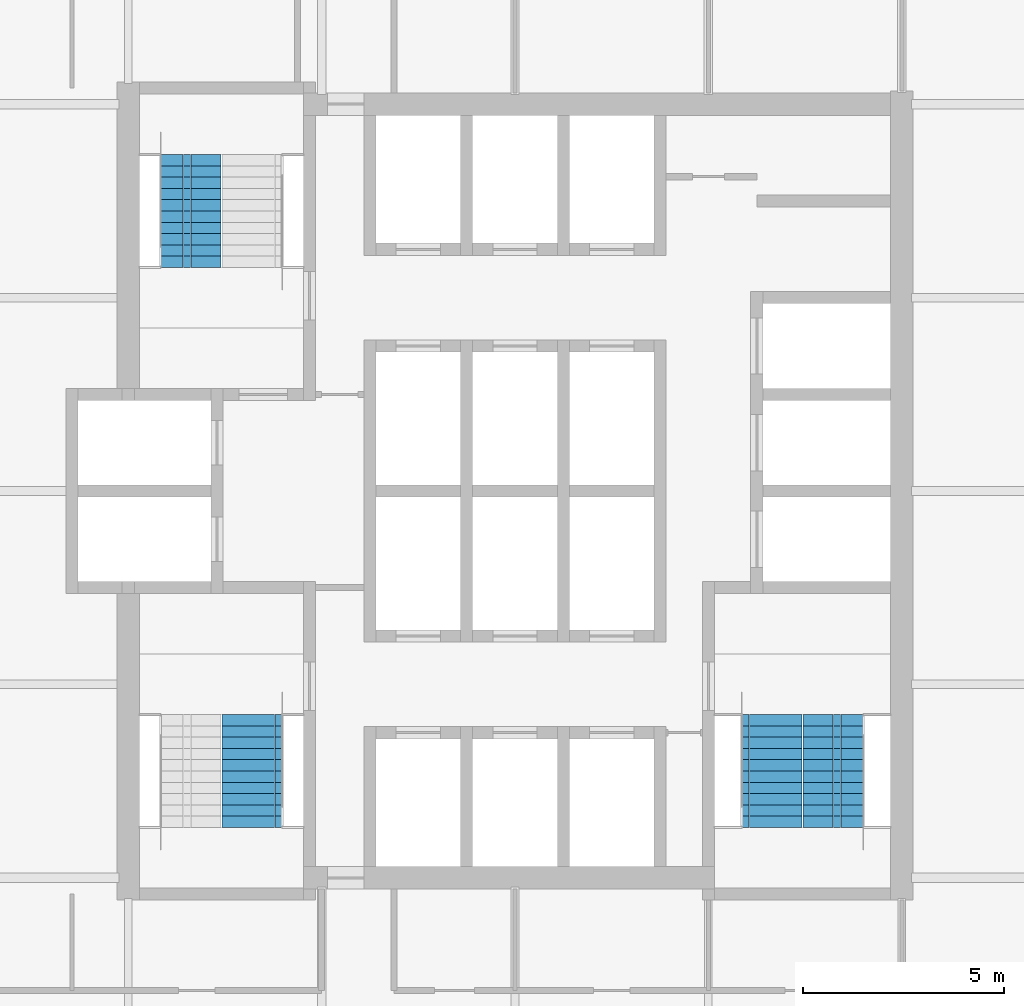
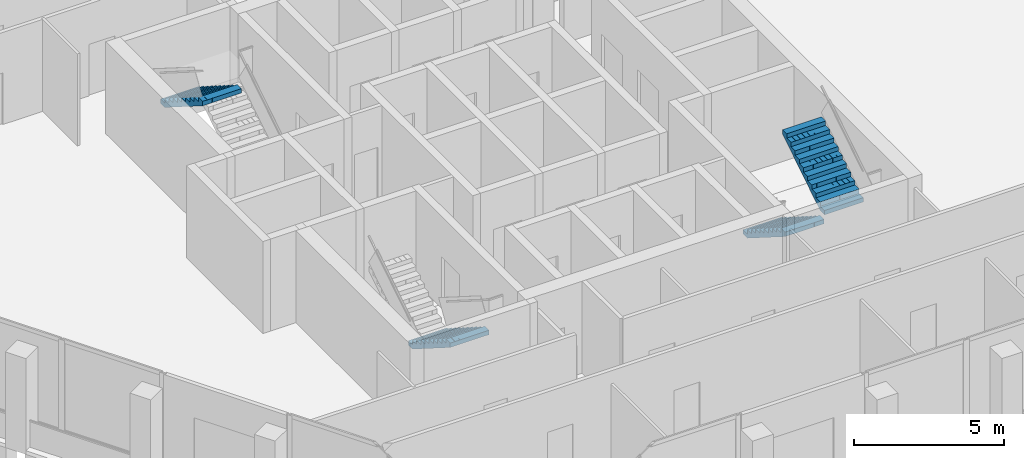
# One storey, part 11 of 14: 4 stair flights, 3 elements without a shape of their own.
"""IFC4 building model written with IfcOpenShell, lengths in metres."""

from ifc_helpers import new_model, si_unit, direction, frame, origin, place, context, subcontext, project, spatial, polyline, outline, extrude, material, type_object, element, aggregate, save


model = new_model("IFC4")

# Units and contexts
model_context = context("Model", 3, precision=1e-05, world=origin(), true_north=direction((0.0, 1.0)))
body_context = subcontext(model_context, "Body", "Model", "MODEL_VIEW")
ifc_project = project(units=[si_unit("LENGTHUNIT", "METRE"), si_unit("AREAUNIT", "SQUARE_METRE"), si_unit("VOLUMEUNIT", "CUBIC_METRE"), si_unit("PLANEANGLEUNIT", "RADIAN"), si_unit("MASSUNIT", "GRAM", prefix="KILO")], contexts=[model_context])

# Site, building, storey
site_placement = place(None, origin())
site = spatial("IfcSite", under=ifc_project, at=site_placement, CompositionType="ELEMENT")
building_placement = place(site_placement, origin())
building = spatial("IfcBuilding", under=site, at=building_placement, Name="Kolab Exchange Tower", CompositionType="ELEMENT")
storey_placement = place(building_placement, frame((0.0, 0.0, 242.300048828125)))
storey = spatial("IfcBuildingStorey", under=building, at=storey_placement, Name="L53", CompositionType="ELEMENT", Elevation=242.300048828125)

# Stair, stair flight
ifc_material = material(Name="Concrete C50/60", Category="concrete")
stair_type_1 = type_object("IfcStairType", Name="STAIR ST1 RISER 177.3", PredefinedType="HALF_TURN_STAIR", material=ifc_material)
stair_1_placement = place(storey_placement, origin())
stair_1 = element("IfcStair", 1, at=stair_1_placement, inside=storey, type_object=stair_type_1, Name="Stair 1", PredefinedType="HALF_TURN_STAIR")
stair_flight_type = type_object("IfcStairFlightType", Name="STAIR FLIGHT 1500 RISER 177.3", PredefinedType="STRAIGHT", material=ifc_material)
stair_flight_1_placement = place(storey_placement, frame((-8.047607421875, 8.35009765625, 1.949951171875), z_axis=(0.0, 0.0, 1.0), x_axis=(0.0, -1.0, 0.0)))
stair_flight_1 = element("IfcStairFlight", 2, at=stair_flight_1_placement, type_object=stair_flight_type, Name="ST1 flight 2", NumberOfRisers=11, NumberOfTreads=10, PredefinedType="STRAIGHT", RiserHeight=0.177272727, TreadLength=0.28, context=body_context, shape_type="SweptSolid", body=[
    extrude(outline(polyline([(0.0, 0.0), (0.0, 0.17724609375), (0.280029296875, 0.17724609375), (0.280029296875, 0.3544921875), (0.56005859375, 0.3544921875), (0.56005859375, 0.53173828125), (0.840087890625, 0.53173828125), (0.840087890625, 0.708984375), (1.1201171875, 0.708984375), (1.1201171875, 0.886474609375), (1.39990234375, 0.886474609375), (1.39990234375, 1.063720703125), (1.679931640625, 1.063720703125), (1.679931640625, 1.240966796875), (1.9599609375, 1.240966796875), (1.9599609375, 1.418212890625), (2.239990234375, 1.418212890625), (2.239990234375, 1.595458984375), (2.52001953125, 1.595458984375), (2.52001953125, 1.772705078125), (2.800048828125, 1.772705078125), (2.800048828125, 1.949951171875), (2.800048828125, 1.59521484375), (0.2802734375, 0.0), (0.0, 0.0)])), frame((0.0, 0.75, 0.0), z_axis=(0.0, -1.0, 0.0), x_axis=(1.0, 0.0, 0.0)), (0.0, 0.0, 1.0), 0.185791015625),
    extrude(outline(polyline([(0.0, 0.0), (0.0, 0.17724609375), (0.280029296875, 0.17724609375), (0.280029296875, 0.3544921875), (0.56005859375, 0.3544921875), (0.56005859375, 0.53173828125), (0.840087890625, 0.53173828125), (0.840087890625, 0.708984375), (1.1201171875, 0.708984375), (1.1201171875, 0.886474609375), (1.39990234375, 0.886474609375), (1.39990234375, 1.063720703125), (1.679931640625, 1.063720703125), (1.679931640625, 1.240966796875), (1.9599609375, 1.240966796875), (1.9599609375, 1.418212890625), (2.239990234375, 1.418212890625), (2.239990234375, 1.595458984375), (2.52001953125, 1.595458984375), (2.52001953125, 1.772705078125), (2.800048828125, 1.772705078125), (2.800048828125, 1.949951171875), (2.800048828125, 1.59521484375), (0.2802734375, 0.0), (0.0, 0.0)])), frame((0.0, 0.562255859375, 0.0), z_axis=(0.0, -1.0, 0.0), x_axis=(1.0, 0.0, 0.0)), (0.0, 0.0, 1.0), 0.185791015625),
    extrude(outline(polyline([(0.0, 0.0), (0.0, 0.17724609375), (0.280029296875, 0.17724609375), (0.280029296875, 0.3544921875), (0.56005859375, 0.3544921875), (0.56005859375, 0.53173828125), (0.840087890625, 0.53173828125), (0.840087890625, 0.708984375), (1.1201171875, 0.708984375), (1.1201171875, 0.886474609375), (1.39990234375, 0.886474609375), (1.39990234375, 1.063720703125), (1.679931640625, 1.063720703125), (1.679931640625, 1.240966796875), (1.9599609375, 1.240966796875), (1.9599609375, 1.418212890625), (2.239990234375, 1.418212890625), (2.239990234375, 1.595458984375), (2.52001953125, 1.595458984375), (2.52001953125, 1.772705078125), (2.800048828125, 1.772705078125), (2.800048828125, 1.949951171875), (2.800048828125, 1.59521484375), (0.2802734375, 0.0), (0.0, 0.0)])), frame((0.0, 0.37451171875, 0.0), z_axis=(0.0, -1.0, 0.0), x_axis=(1.0, 0.0, 0.0)), (0.0, 0.0, 1.0), 0.185791015625),
    extrude(outline(polyline([(0.0, 0.0), (0.0, 0.17724609375), (0.280029296875, 0.17724609375), (0.280029296875, 0.3544921875), (0.56005859375, 0.3544921875), (0.56005859375, 0.53173828125), (0.840087890625, 0.53173828125), (0.840087890625, 0.708984375), (1.1201171875, 0.708984375), (1.1201171875, 0.886474609375), (1.39990234375, 0.886474609375), (1.39990234375, 1.063720703125), (1.679931640625, 1.063720703125), (1.679931640625, 1.240966796875), (1.9599609375, 1.240966796875), (1.9599609375, 1.418212890625), (2.239990234375, 1.418212890625), (2.239990234375, 1.595458984375), (2.52001953125, 1.595458984375), (2.52001953125, 1.772705078125), (2.800048828125, 1.772705078125), (2.800048828125, 1.949951171875), (2.800048828125, 1.59521484375), (0.2802734375, 0.0), (0.0, 0.0)])), frame((0.0, 0.186767578125, 0.0), z_axis=(0.0, -1.0, 0.0), x_axis=(1.0, 0.0, 0.0)), (0.0, 0.0, 1.0), 0.185791015625),
    extrude(outline(polyline([(0.0, 0.0), (0.0, 0.17724609375), (0.280029296875, 0.17724609375), (0.280029296875, 0.3544921875), (0.56005859375, 0.3544921875), (0.56005859375, 0.53173828125), (0.840087890625, 0.53173828125), (0.840087890625, 0.708984375), (1.1201171875, 0.708984375), (1.1201171875, 0.886474609375), (1.39990234375, 0.886474609375), (1.39990234375, 1.063720703125), (1.679931640625, 1.063720703125), (1.679931640625, 1.240966796875), (1.9599609375, 1.240966796875), (1.9599609375, 1.418212890625), (2.239990234375, 1.418212890625), (2.239990234375, 1.595458984375), (2.52001953125, 1.595458984375), (2.52001953125, 1.772705078125), (2.800048828125, 1.772705078125), (2.800048828125, 1.949951171875), (2.800048828125, 1.59521484375), (0.2802734375, 0.0), (0.0, 0.0)])), frame((0.0, -0.0009765625, 0.0), z_axis=(0.0, -1.0, 0.0), x_axis=(1.0, 0.0, 0.0)), (0.0, 0.0, 1.0), 0.185791015625),
    extrude(outline(polyline([(0.0, 0.0), (0.0, 0.17724609375), (0.280029296875, 0.17724609375), (0.280029296875, 0.3544921875), (0.56005859375, 0.3544921875), (0.56005859375, 0.53173828125), (0.840087890625, 0.53173828125), (0.840087890625, 0.708984375), (1.1201171875, 0.708984375), (1.1201171875, 0.886474609375), (1.39990234375, 0.886474609375), (1.39990234375, 1.063720703125), (1.679931640625, 1.063720703125), (1.679931640625, 1.240966796875), (1.9599609375, 1.240966796875), (1.9599609375, 1.418212890625), (2.239990234375, 1.418212890625), (2.239990234375, 1.595458984375), (2.52001953125, 1.595458984375), (2.52001953125, 1.772705078125), (2.800048828125, 1.772705078125), (2.800048828125, 1.949951171875), (2.800048828125, 1.59521484375), (0.2802734375, 0.0), (0.0, 0.0)])), frame((0.0, -0.188720703125, 0.0), z_axis=(0.0, -1.0, 0.0), x_axis=(1.0, 0.0, 0.0)), (0.0, 0.0, 1.0), 0.185791015625),
    extrude(outline(polyline([(0.0, 0.0), (0.0, 0.17724609375), (0.280029296875, 0.17724609375), (0.280029296875, 0.3544921875), (0.56005859375, 0.3544921875), (0.56005859375, 0.53173828125), (0.840087890625, 0.53173828125), (0.840087890625, 0.708984375), (1.1201171875, 0.708984375), (1.1201171875, 0.886474609375), (1.39990234375, 0.886474609375), (1.39990234375, 1.063720703125), (1.679931640625, 1.063720703125), (1.679931640625, 1.240966796875), (1.9599609375, 1.240966796875), (1.9599609375, 1.418212890625), (2.239990234375, 1.418212890625), (2.239990234375, 1.595458984375), (2.52001953125, 1.595458984375), (2.52001953125, 1.772705078125), (2.800048828125, 1.772705078125), (2.800048828125, 1.949951171875), (2.800048828125, 1.59521484375), (0.2802734375, 0.0), (0.0, 0.0)])), frame((0.0, -0.37646484375, 0.0), z_axis=(0.0, -1.0, 0.0), x_axis=(1.0, 0.0, 0.0)), (0.0, 0.0, 1.0), 0.185791015625),
    extrude(outline(polyline([(0.0, 0.0), (0.0, 0.17724609375), (0.280029296875, 0.17724609375), (0.280029296875, 0.3544921875), (0.56005859375, 0.3544921875), (0.56005859375, 0.53173828125), (0.840087890625, 0.53173828125), (0.840087890625, 0.708984375), (1.1201171875, 0.708984375), (1.1201171875, 0.886474609375), (1.39990234375, 0.886474609375), (1.39990234375, 1.063720703125), (1.679931640625, 1.063720703125), (1.679931640625, 1.240966796875), (1.9599609375, 1.240966796875), (1.9599609375, 1.418212890625), (2.239990234375, 1.418212890625), (2.239990234375, 1.595458984375), (2.52001953125, 1.595458984375), (2.52001953125, 1.772705078125), (2.800048828125, 1.772705078125), (2.800048828125, 1.949951171875), (2.800048828125, 1.59521484375), (0.2802734375, 0.0), (0.0, 0.0)])), frame((0.0, -0.564208984375, 0.0), z_axis=(0.0, -1.0, 0.0), x_axis=(1.0, 0.0, 0.0)), (0.0, 0.0, 1.0), 0.185791015625),
])
aggregate(stair_1, [stair_flight_1])

stair_type_2 = type_object("IfcStairType", Name="STAIR ST3 RISER 177.3", PredefinedType="HALF_TURN_STAIR", material=ifc_material)
stair_2_placement = place(storey_placement, origin())
stair_2 = element("IfcStair", 3, at=stair_2_placement, inside=storey, type_object=stair_type_2, Name="Stair 3", PredefinedType="HALF_TURN_STAIR")
stair_flight_2_placement = place(storey_placement, frame((-6.527587890625, -5.550048828125, 0.0), z_axis=(0.0, 0.0, 1.0), x_axis=(0.0, -1.0, 0.0)))
stair_flight_2 = element("IfcStairFlight", 4, at=stair_flight_2_placement, type_object=stair_flight_type, Name="ST3 flight 1", NumberOfRisers=11, NumberOfTreads=10, PredefinedType="STRAIGHT", RiserHeight=0.177272727, TreadLength=0.28, context=body_context, shape_type="SweptSolid", body=[
    extrude(outline(polyline([(0.0, 0.0), (0.0, 0.17724609375), (0.280029296875, 0.17724609375), (0.280029296875, 0.3544921875), (0.56005859375, 0.3544921875), (0.56005859375, 0.53173828125), (0.840087890625, 0.53173828125), (0.840087890625, 0.708984375), (1.1201171875, 0.708984375), (1.1201171875, 0.886474609375), (1.39990234375, 0.886474609375), (1.39990234375, 1.063720703125), (1.679931640625, 1.063720703125), (1.679931640625, 1.240966796875), (1.9599609375, 1.240966796875), (1.9599609375, 1.418212890625), (2.239990234375, 1.418212890625), (2.239990234375, 1.595458984375), (2.52001953125, 1.595458984375), (2.52001953125, 1.772705078125), (2.800048828125, 1.772705078125), (2.800048828125, 1.949951171875), (2.800048828125, 1.59521484375), (0.2802734375, 0.0), (0.0, 0.0)])), frame((0.0, 0.75, 0.0), z_axis=(0.0, -1.0, 0.0), x_axis=(1.0, 0.0, 0.0)), (0.0, 0.0, 1.0), 0.185791015625),
    extrude(outline(polyline([(0.0, 0.0), (0.0, 0.17724609375), (0.280029296875, 0.17724609375), (0.280029296875, 0.3544921875), (0.56005859375, 0.3544921875), (0.56005859375, 0.53173828125), (0.840087890625, 0.53173828125), (0.840087890625, 0.708984375), (1.1201171875, 0.708984375), (1.1201171875, 0.886474609375), (1.39990234375, 0.886474609375), (1.39990234375, 1.063720703125), (1.679931640625, 1.063720703125), (1.679931640625, 1.240966796875), (1.9599609375, 1.240966796875), (1.9599609375, 1.418212890625), (2.239990234375, 1.418212890625), (2.239990234375, 1.595458984375), (2.52001953125, 1.595458984375), (2.52001953125, 1.772705078125), (2.800048828125, 1.772705078125), (2.800048828125, 1.949951171875), (2.800048828125, 1.59521484375), (0.2802734375, 0.0), (0.0, 0.0)])), frame((0.0, 0.562255859375, 0.0), z_axis=(0.0, -1.0, 0.0), x_axis=(1.0, 0.0, 0.0)), (0.0, 0.0, 1.0), 0.185791015625),
    extrude(outline(polyline([(0.0, 0.0), (0.0, 0.17724609375), (0.280029296875, 0.17724609375), (0.280029296875, 0.3544921875), (0.56005859375, 0.3544921875), (0.56005859375, 0.53173828125), (0.840087890625, 0.53173828125), (0.840087890625, 0.708984375), (1.1201171875, 0.708984375), (1.1201171875, 0.886474609375), (1.39990234375, 0.886474609375), (1.39990234375, 1.063720703125), (1.679931640625, 1.063720703125), (1.679931640625, 1.240966796875), (1.9599609375, 1.240966796875), (1.9599609375, 1.418212890625), (2.239990234375, 1.418212890625), (2.239990234375, 1.595458984375), (2.52001953125, 1.595458984375), (2.52001953125, 1.772705078125), (2.800048828125, 1.772705078125), (2.800048828125, 1.949951171875), (2.800048828125, 1.59521484375), (0.2802734375, 0.0), (0.0, 0.0)])), frame((0.0, 0.37451171875, 0.0), z_axis=(0.0, -1.0, 0.0), x_axis=(1.0, 0.0, 0.0)), (0.0, 0.0, 1.0), 0.185791015625),
    extrude(outline(polyline([(0.0, 0.0), (0.0, 0.17724609375), (0.280029296875, 0.17724609375), (0.280029296875, 0.3544921875), (0.56005859375, 0.3544921875), (0.56005859375, 0.53173828125), (0.840087890625, 0.53173828125), (0.840087890625, 0.708984375), (1.1201171875, 0.708984375), (1.1201171875, 0.886474609375), (1.39990234375, 0.886474609375), (1.39990234375, 1.063720703125), (1.679931640625, 1.063720703125), (1.679931640625, 1.240966796875), (1.9599609375, 1.240966796875), (1.9599609375, 1.418212890625), (2.239990234375, 1.418212890625), (2.239990234375, 1.595458984375), (2.52001953125, 1.595458984375), (2.52001953125, 1.772705078125), (2.800048828125, 1.772705078125), (2.800048828125, 1.949951171875), (2.800048828125, 1.59521484375), (0.2802734375, 0.0), (0.0, 0.0)])), frame((0.0, 0.186767578125, 0.0), z_axis=(0.0, -1.0, 0.0), x_axis=(1.0, 0.0, 0.0)), (0.0, 0.0, 1.0), 0.185791015625),
    extrude(outline(polyline([(0.0, 0.0), (0.0, 0.17724609375), (0.280029296875, 0.17724609375), (0.280029296875, 0.3544921875), (0.56005859375, 0.3544921875), (0.56005859375, 0.53173828125), (0.840087890625, 0.53173828125), (0.840087890625, 0.708984375), (1.1201171875, 0.708984375), (1.1201171875, 0.886474609375), (1.39990234375, 0.886474609375), (1.39990234375, 1.063720703125), (1.679931640625, 1.063720703125), (1.679931640625, 1.240966796875), (1.9599609375, 1.240966796875), (1.9599609375, 1.418212890625), (2.239990234375, 1.418212890625), (2.239990234375, 1.595458984375), (2.52001953125, 1.595458984375), (2.52001953125, 1.772705078125), (2.800048828125, 1.772705078125), (2.800048828125, 1.949951171875), (2.800048828125, 1.59521484375), (0.2802734375, 0.0), (0.0, 0.0)])), frame((0.0, -0.0009765625, 0.0), z_axis=(0.0, -1.0, 0.0), x_axis=(1.0, 0.0, 0.0)), (0.0, 0.0, 1.0), 0.185791015625),
    extrude(outline(polyline([(0.0, 0.0), (0.0, 0.17724609375), (0.280029296875, 0.17724609375), (0.280029296875, 0.3544921875), (0.56005859375, 0.3544921875), (0.56005859375, 0.53173828125), (0.840087890625, 0.53173828125), (0.840087890625, 0.708984375), (1.1201171875, 0.708984375), (1.1201171875, 0.886474609375), (1.39990234375, 0.886474609375), (1.39990234375, 1.063720703125), (1.679931640625, 1.063720703125), (1.679931640625, 1.240966796875), (1.9599609375, 1.240966796875), (1.9599609375, 1.418212890625), (2.239990234375, 1.418212890625), (2.239990234375, 1.595458984375), (2.52001953125, 1.595458984375), (2.52001953125, 1.772705078125), (2.800048828125, 1.772705078125), (2.800048828125, 1.949951171875), (2.800048828125, 1.59521484375), (0.2802734375, 0.0), (0.0, 0.0)])), frame((0.0, -0.188720703125, 0.0), z_axis=(0.0, -1.0, 0.0), x_axis=(1.0, 0.0, 0.0)), (0.0, 0.0, 1.0), 0.185791015625),
    extrude(outline(polyline([(0.0, 0.0), (0.0, 0.17724609375), (0.280029296875, 0.17724609375), (0.280029296875, 0.3544921875), (0.56005859375, 0.3544921875), (0.56005859375, 0.53173828125), (0.840087890625, 0.53173828125), (0.840087890625, 0.708984375), (1.1201171875, 0.708984375), (1.1201171875, 0.886474609375), (1.39990234375, 0.886474609375), (1.39990234375, 1.063720703125), (1.679931640625, 1.063720703125), (1.679931640625, 1.240966796875), (1.9599609375, 1.240966796875), (1.9599609375, 1.418212890625), (2.239990234375, 1.418212890625), (2.239990234375, 1.595458984375), (2.52001953125, 1.595458984375), (2.52001953125, 1.772705078125), (2.800048828125, 1.772705078125), (2.800048828125, 1.949951171875), (2.800048828125, 1.59521484375), (0.2802734375, 0.0), (0.0, 0.0)])), frame((0.0, -0.37646484375, 0.0), z_axis=(0.0, -1.0, 0.0), x_axis=(1.0, 0.0, 0.0)), (0.0, 0.0, 1.0), 0.185791015625),
    extrude(outline(polyline([(0.0, 0.0), (0.0, 0.17724609375), (0.280029296875, 0.17724609375), (0.280029296875, 0.3544921875), (0.56005859375, 0.3544921875), (0.56005859375, 0.53173828125), (0.840087890625, 0.53173828125), (0.840087890625, 0.708984375), (1.1201171875, 0.708984375), (1.1201171875, 0.886474609375), (1.39990234375, 0.886474609375), (1.39990234375, 1.063720703125), (1.679931640625, 1.063720703125), (1.679931640625, 1.240966796875), (1.9599609375, 1.240966796875), (1.9599609375, 1.418212890625), (2.239990234375, 1.418212890625), (2.239990234375, 1.595458984375), (2.52001953125, 1.595458984375), (2.52001953125, 1.772705078125), (2.800048828125, 1.772705078125), (2.800048828125, 1.949951171875), (2.800048828125, 1.59521484375), (0.2802734375, 0.0), (0.0, 0.0)])), frame((0.0, -0.564208984375, 0.0), z_axis=(0.0, -1.0, 0.0), x_axis=(1.0, 0.0, 0.0)), (0.0, 0.0, 1.0), 0.185791015625),
])
aggregate(stair_2, [stair_flight_2])

# Stair, stair flights
stair_type_3 = type_object("IfcStairType", Name="STAIR ST2 RISER 177.3", PredefinedType="HALF_TURN_STAIR", material=ifc_material)
stair_3_placement = place(storey_placement, origin())
stair_3 = element("IfcStair", 5, at=stair_3_placement, inside=storey, type_object=stair_type_3, Name="Stair 2", PredefinedType="HALF_TURN_STAIR")
stair_flight_3_placement = place(storey_placement, frame((6.37744140625, -5.550048828125, 0.0), z_axis=(0.0, 0.0, 1.0), x_axis=(0.0, -1.0, 0.0)))
stair_flight_3 = element("IfcStairFlight", 6, at=stair_flight_3_placement, type_object=stair_flight_type, Name="ST2 flight 1", NumberOfRisers=11, NumberOfTreads=10, PredefinedType="STRAIGHT", RiserHeight=0.177272727, TreadLength=0.28, context=body_context, shape_type="SweptSolid", body=[
    extrude(outline(polyline([(0.0, 0.0), (0.0, 0.17724609375), (0.280029296875, 0.17724609375), (0.280029296875, 0.3544921875), (0.56005859375, 0.3544921875), (0.56005859375, 0.53173828125), (0.840087890625, 0.53173828125), (0.840087890625, 0.708984375), (1.1201171875, 0.708984375), (1.1201171875, 0.886474609375), (1.39990234375, 0.886474609375), (1.39990234375, 1.063720703125), (1.679931640625, 1.063720703125), (1.679931640625, 1.240966796875), (1.9599609375, 1.240966796875), (1.9599609375, 1.418212890625), (2.239990234375, 1.418212890625), (2.239990234375, 1.595458984375), (2.52001953125, 1.595458984375), (2.52001953125, 1.772705078125), (2.800048828125, 1.772705078125), (2.800048828125, 1.949951171875), (2.800048828125, 1.59521484375), (0.2802734375, 0.0), (0.0, 0.0)])), frame((0.0, 0.75, 0.0), z_axis=(0.0, -1.0, 0.0), x_axis=(1.0, 0.0, 0.0)), (0.0, 0.0, 1.0), 0.185791015625),
    extrude(outline(polyline([(0.0, 0.0), (0.0, 0.17724609375), (0.280029296875, 0.17724609375), (0.280029296875, 0.3544921875), (0.56005859375, 0.3544921875), (0.56005859375, 0.53173828125), (0.840087890625, 0.53173828125), (0.840087890625, 0.708984375), (1.1201171875, 0.708984375), (1.1201171875, 0.886474609375), (1.39990234375, 0.886474609375), (1.39990234375, 1.063720703125), (1.679931640625, 1.063720703125), (1.679931640625, 1.240966796875), (1.9599609375, 1.240966796875), (1.9599609375, 1.418212890625), (2.239990234375, 1.418212890625), (2.239990234375, 1.595458984375), (2.52001953125, 1.595458984375), (2.52001953125, 1.772705078125), (2.800048828125, 1.772705078125), (2.800048828125, 1.949951171875), (2.800048828125, 1.59521484375), (0.2802734375, 0.0), (0.0, 0.0)])), frame((0.0, 0.562255859375, 0.0), z_axis=(0.0, -1.0, 0.0), x_axis=(1.0, 0.0, 0.0)), (0.0, 0.0, 1.0), 0.185791015625),
    extrude(outline(polyline([(0.0, 0.0), (0.0, 0.17724609375), (0.280029296875, 0.17724609375), (0.280029296875, 0.3544921875), (0.56005859375, 0.3544921875), (0.56005859375, 0.53173828125), (0.840087890625, 0.53173828125), (0.840087890625, 0.708984375), (1.1201171875, 0.708984375), (1.1201171875, 0.886474609375), (1.39990234375, 0.886474609375), (1.39990234375, 1.063720703125), (1.679931640625, 1.063720703125), (1.679931640625, 1.240966796875), (1.9599609375, 1.240966796875), (1.9599609375, 1.418212890625), (2.239990234375, 1.418212890625), (2.239990234375, 1.595458984375), (2.52001953125, 1.595458984375), (2.52001953125, 1.772705078125), (2.800048828125, 1.772705078125), (2.800048828125, 1.949951171875), (2.800048828125, 1.59521484375), (0.2802734375, 0.0), (0.0, 0.0)])), frame((0.0, 0.37451171875, 0.0), z_axis=(0.0, -1.0, 0.0), x_axis=(1.0, 0.0, 0.0)), (0.0, 0.0, 1.0), 0.185791015625),
    extrude(outline(polyline([(0.0, 0.0), (0.0, 0.17724609375), (0.280029296875, 0.17724609375), (0.280029296875, 0.3544921875), (0.56005859375, 0.3544921875), (0.56005859375, 0.53173828125), (0.840087890625, 0.53173828125), (0.840087890625, 0.708984375), (1.1201171875, 0.708984375), (1.1201171875, 0.886474609375), (1.39990234375, 0.886474609375), (1.39990234375, 1.063720703125), (1.679931640625, 1.063720703125), (1.679931640625, 1.240966796875), (1.9599609375, 1.240966796875), (1.9599609375, 1.418212890625), (2.239990234375, 1.418212890625), (2.239990234375, 1.595458984375), (2.52001953125, 1.595458984375), (2.52001953125, 1.772705078125), (2.800048828125, 1.772705078125), (2.800048828125, 1.949951171875), (2.800048828125, 1.59521484375), (0.2802734375, 0.0), (0.0, 0.0)])), frame((0.0, 0.186767578125, 0.0), z_axis=(0.0, -1.0, 0.0), x_axis=(1.0, 0.0, 0.0)), (0.0, 0.0, 1.0), 0.185791015625),
    extrude(outline(polyline([(0.0, 0.0), (0.0, 0.17724609375), (0.280029296875, 0.17724609375), (0.280029296875, 0.3544921875), (0.56005859375, 0.3544921875), (0.56005859375, 0.53173828125), (0.840087890625, 0.53173828125), (0.840087890625, 0.708984375), (1.1201171875, 0.708984375), (1.1201171875, 0.886474609375), (1.39990234375, 0.886474609375), (1.39990234375, 1.063720703125), (1.679931640625, 1.063720703125), (1.679931640625, 1.240966796875), (1.9599609375, 1.240966796875), (1.9599609375, 1.418212890625), (2.239990234375, 1.418212890625), (2.239990234375, 1.595458984375), (2.52001953125, 1.595458984375), (2.52001953125, 1.772705078125), (2.800048828125, 1.772705078125), (2.800048828125, 1.949951171875), (2.800048828125, 1.59521484375), (0.2802734375, 0.0), (0.0, 0.0)])), frame((0.0, -0.0009765625, 0.0), z_axis=(0.0, -1.0, 0.0), x_axis=(1.0, 0.0, 0.0)), (0.0, 0.0, 1.0), 0.185791015625),
    extrude(outline(polyline([(0.0, 0.0), (0.0, 0.17724609375), (0.280029296875, 0.17724609375), (0.280029296875, 0.3544921875), (0.56005859375, 0.3544921875), (0.56005859375, 0.53173828125), (0.840087890625, 0.53173828125), (0.840087890625, 0.708984375), (1.1201171875, 0.708984375), (1.1201171875, 0.886474609375), (1.39990234375, 0.886474609375), (1.39990234375, 1.063720703125), (1.679931640625, 1.063720703125), (1.679931640625, 1.240966796875), (1.9599609375, 1.240966796875), (1.9599609375, 1.418212890625), (2.239990234375, 1.418212890625), (2.239990234375, 1.595458984375), (2.52001953125, 1.595458984375), (2.52001953125, 1.772705078125), (2.800048828125, 1.772705078125), (2.800048828125, 1.949951171875), (2.800048828125, 1.59521484375), (0.2802734375, 0.0), (0.0, 0.0)])), frame((0.0, -0.188720703125, 0.0), z_axis=(0.0, -1.0, 0.0), x_axis=(1.0, 0.0, 0.0)), (0.0, 0.0, 1.0), 0.185791015625),
    extrude(outline(polyline([(0.0, 0.0), (0.0, 0.17724609375), (0.280029296875, 0.17724609375), (0.280029296875, 0.3544921875), (0.56005859375, 0.3544921875), (0.56005859375, 0.53173828125), (0.840087890625, 0.53173828125), (0.840087890625, 0.708984375), (1.1201171875, 0.708984375), (1.1201171875, 0.886474609375), (1.39990234375, 0.886474609375), (1.39990234375, 1.063720703125), (1.679931640625, 1.063720703125), (1.679931640625, 1.240966796875), (1.9599609375, 1.240966796875), (1.9599609375, 1.418212890625), (2.239990234375, 1.418212890625), (2.239990234375, 1.595458984375), (2.52001953125, 1.595458984375), (2.52001953125, 1.772705078125), (2.800048828125, 1.772705078125), (2.800048828125, 1.949951171875), (2.800048828125, 1.59521484375), (0.2802734375, 0.0), (0.0, 0.0)])), frame((0.0, -0.37646484375, 0.0), z_axis=(0.0, -1.0, 0.0), x_axis=(1.0, 0.0, 0.0)), (0.0, 0.0, 1.0), 0.185791015625),
    extrude(outline(polyline([(0.0, 0.0), (0.0, 0.17724609375), (0.280029296875, 0.17724609375), (0.280029296875, 0.3544921875), (0.56005859375, 0.3544921875), (0.56005859375, 0.53173828125), (0.840087890625, 0.53173828125), (0.840087890625, 0.708984375), (1.1201171875, 0.708984375), (1.1201171875, 0.886474609375), (1.39990234375, 0.886474609375), (1.39990234375, 1.063720703125), (1.679931640625, 1.063720703125), (1.679931640625, 1.240966796875), (1.9599609375, 1.240966796875), (1.9599609375, 1.418212890625), (2.239990234375, 1.418212890625), (2.239990234375, 1.595458984375), (2.52001953125, 1.595458984375), (2.52001953125, 1.772705078125), (2.800048828125, 1.772705078125), (2.800048828125, 1.949951171875), (2.800048828125, 1.59521484375), (0.2802734375, 0.0), (0.0, 0.0)])), frame((0.0, -0.564208984375, 0.0), z_axis=(0.0, -1.0, 0.0), x_axis=(1.0, 0.0, 0.0)), (0.0, 0.0, 1.0), 0.185791015625),
])
stair_flight_4_placement = place(storey_placement, frame((7.8974609375, -8.35009765625, 1.949951171875), z_axis=(0.0, 0.0, 1.0), x_axis=(0.0, 1.0, 0.0)))
stair_flight_4 = element("IfcStairFlight", 7, at=stair_flight_4_placement, type_object=stair_flight_type, Name="ST2 flight 2", NumberOfRisers=11, NumberOfTreads=10, PredefinedType="STRAIGHT", RiserHeight=0.177272727, TreadLength=0.28, context=body_context, shape_type="SweptSolid", body=[
    extrude(outline(polyline([(0.0, 0.0), (0.0, 0.17724609375), (0.280029296875, 0.17724609375), (0.280029296875, 0.3544921875), (0.56005859375, 0.3544921875), (0.56005859375, 0.53173828125), (0.840087890625, 0.53173828125), (0.840087890625, 0.708984375), (1.1201171875, 0.708984375), (1.1201171875, 0.886474609375), (1.39990234375, 0.886474609375), (1.39990234375, 1.063720703125), (1.679931640625, 1.063720703125), (1.679931640625, 1.240966796875), (1.9599609375, 1.240966796875), (1.9599609375, 1.418212890625), (2.239990234375, 1.418212890625), (2.239990234375, 1.595458984375), (2.52001953125, 1.595458984375), (2.52001953125, 1.772705078125), (2.800048828125, 1.772705078125), (2.800048828125, 1.949951171875), (2.800048828125, 1.59521484375), (0.2802734375, 0.0), (0.0, 0.0)])), frame((0.0, 0.75, 0.0), z_axis=(0.0, -1.0, 0.0), x_axis=(1.0, 0.0, 0.0)), (0.0, 0.0, 1.0), 0.185791015625),
    extrude(outline(polyline([(0.0, 0.0), (0.0, 0.17724609375), (0.280029296875, 0.17724609375), (0.280029296875, 0.3544921875), (0.56005859375, 0.3544921875), (0.56005859375, 0.53173828125), (0.840087890625, 0.53173828125), (0.840087890625, 0.708984375), (1.1201171875, 0.708984375), (1.1201171875, 0.886474609375), (1.39990234375, 0.886474609375), (1.39990234375, 1.063720703125), (1.679931640625, 1.063720703125), (1.679931640625, 1.240966796875), (1.9599609375, 1.240966796875), (1.9599609375, 1.418212890625), (2.239990234375, 1.418212890625), (2.239990234375, 1.595458984375), (2.52001953125, 1.595458984375), (2.52001953125, 1.772705078125), (2.800048828125, 1.772705078125), (2.800048828125, 1.949951171875), (2.800048828125, 1.59521484375), (0.2802734375, 0.0), (0.0, 0.0)])), frame((0.0, 0.562255859375, 0.0), z_axis=(0.0, -1.0, 0.0), x_axis=(1.0, 0.0, 0.0)), (0.0, 0.0, 1.0), 0.185791015625),
    extrude(outline(polyline([(0.0, 0.0), (0.0, 0.17724609375), (0.280029296875, 0.17724609375), (0.280029296875, 0.3544921875), (0.56005859375, 0.3544921875), (0.56005859375, 0.53173828125), (0.840087890625, 0.53173828125), (0.840087890625, 0.708984375), (1.1201171875, 0.708984375), (1.1201171875, 0.886474609375), (1.39990234375, 0.886474609375), (1.39990234375, 1.063720703125), (1.679931640625, 1.063720703125), (1.679931640625, 1.240966796875), (1.9599609375, 1.240966796875), (1.9599609375, 1.418212890625), (2.239990234375, 1.418212890625), (2.239990234375, 1.595458984375), (2.52001953125, 1.595458984375), (2.52001953125, 1.772705078125), (2.800048828125, 1.772705078125), (2.800048828125, 1.949951171875), (2.800048828125, 1.59521484375), (0.2802734375, 0.0), (0.0, 0.0)])), frame((0.0, 0.37451171875, 0.0), z_axis=(0.0, -1.0, 0.0), x_axis=(1.0, 0.0, 0.0)), (0.0, 0.0, 1.0), 0.185791015625),
    extrude(outline(polyline([(0.0, 0.0), (0.0, 0.17724609375), (0.280029296875, 0.17724609375), (0.280029296875, 0.3544921875), (0.56005859375, 0.3544921875), (0.56005859375, 0.53173828125), (0.840087890625, 0.53173828125), (0.840087890625, 0.708984375), (1.1201171875, 0.708984375), (1.1201171875, 0.886474609375), (1.39990234375, 0.886474609375), (1.39990234375, 1.063720703125), (1.679931640625, 1.063720703125), (1.679931640625, 1.240966796875), (1.9599609375, 1.240966796875), (1.9599609375, 1.418212890625), (2.239990234375, 1.418212890625), (2.239990234375, 1.595458984375), (2.52001953125, 1.595458984375), (2.52001953125, 1.772705078125), (2.800048828125, 1.772705078125), (2.800048828125, 1.949951171875), (2.800048828125, 1.59521484375), (0.2802734375, 0.0), (0.0, 0.0)])), frame((0.0, 0.186767578125, 0.0), z_axis=(0.0, -1.0, 0.0), x_axis=(1.0, 0.0, 0.0)), (0.0, 0.0, 1.0), 0.185791015625),
    extrude(outline(polyline([(0.0, 0.0), (0.0, 0.17724609375), (0.280029296875, 0.17724609375), (0.280029296875, 0.3544921875), (0.56005859375, 0.3544921875), (0.56005859375, 0.53173828125), (0.840087890625, 0.53173828125), (0.840087890625, 0.708984375), (1.1201171875, 0.708984375), (1.1201171875, 0.886474609375), (1.39990234375, 0.886474609375), (1.39990234375, 1.063720703125), (1.679931640625, 1.063720703125), (1.679931640625, 1.240966796875), (1.9599609375, 1.240966796875), (1.9599609375, 1.418212890625), (2.239990234375, 1.418212890625), (2.239990234375, 1.595458984375), (2.52001953125, 1.595458984375), (2.52001953125, 1.772705078125), (2.800048828125, 1.772705078125), (2.800048828125, 1.949951171875), (2.800048828125, 1.59521484375), (0.2802734375, 0.0), (0.0, 0.0)])), frame((0.0, -0.0009765625, 0.0), z_axis=(0.0, -1.0, 0.0), x_axis=(1.0, 0.0, 0.0)), (0.0, 0.0, 1.0), 0.185791015625),
    extrude(outline(polyline([(0.0, 0.0), (0.0, 0.17724609375), (0.280029296875, 0.17724609375), (0.280029296875, 0.3544921875), (0.56005859375, 0.3544921875), (0.56005859375, 0.53173828125), (0.840087890625, 0.53173828125), (0.840087890625, 0.708984375), (1.1201171875, 0.708984375), (1.1201171875, 0.886474609375), (1.39990234375, 0.886474609375), (1.39990234375, 1.063720703125), (1.679931640625, 1.063720703125), (1.679931640625, 1.240966796875), (1.9599609375, 1.240966796875), (1.9599609375, 1.418212890625), (2.239990234375, 1.418212890625), (2.239990234375, 1.595458984375), (2.52001953125, 1.595458984375), (2.52001953125, 1.772705078125), (2.800048828125, 1.772705078125), (2.800048828125, 1.949951171875), (2.800048828125, 1.59521484375), (0.2802734375, 0.0), (0.0, 0.0)])), frame((0.0, -0.188720703125, 0.0), z_axis=(0.0, -1.0, 0.0), x_axis=(1.0, 0.0, 0.0)), (0.0, 0.0, 1.0), 0.185791015625),
    extrude(outline(polyline([(0.0, 0.0), (0.0, 0.17724609375), (0.280029296875, 0.17724609375), (0.280029296875, 0.3544921875), (0.56005859375, 0.3544921875), (0.56005859375, 0.53173828125), (0.840087890625, 0.53173828125), (0.840087890625, 0.708984375), (1.1201171875, 0.708984375), (1.1201171875, 0.886474609375), (1.39990234375, 0.886474609375), (1.39990234375, 1.063720703125), (1.679931640625, 1.063720703125), (1.679931640625, 1.240966796875), (1.9599609375, 1.240966796875), (1.9599609375, 1.418212890625), (2.239990234375, 1.418212890625), (2.239990234375, 1.595458984375), (2.52001953125, 1.595458984375), (2.52001953125, 1.772705078125), (2.800048828125, 1.772705078125), (2.800048828125, 1.949951171875), (2.800048828125, 1.59521484375), (0.2802734375, 0.0), (0.0, 0.0)])), frame((0.0, -0.37646484375, 0.0), z_axis=(0.0, -1.0, 0.0), x_axis=(1.0, 0.0, 0.0)), (0.0, 0.0, 1.0), 0.185791015625),
    extrude(outline(polyline([(0.0, 0.0), (0.0, 0.17724609375), (0.280029296875, 0.17724609375), (0.280029296875, 0.3544921875), (0.56005859375, 0.3544921875), (0.56005859375, 0.53173828125), (0.840087890625, 0.53173828125), (0.840087890625, 0.708984375), (1.1201171875, 0.708984375), (1.1201171875, 0.886474609375), (1.39990234375, 0.886474609375), (1.39990234375, 1.063720703125), (1.679931640625, 1.063720703125), (1.679931640625, 1.240966796875), (1.9599609375, 1.240966796875), (1.9599609375, 1.418212890625), (2.239990234375, 1.418212890625), (2.239990234375, 1.595458984375), (2.52001953125, 1.595458984375), (2.52001953125, 1.772705078125), (2.800048828125, 1.772705078125), (2.800048828125, 1.949951171875), (2.800048828125, 1.59521484375), (0.2802734375, 0.0), (0.0, 0.0)])), frame((0.0, -0.564208984375, 0.0), z_axis=(0.0, -1.0, 0.0), x_axis=(1.0, 0.0, 0.0)), (0.0, 0.0, 1.0), 0.185791015625),
])
aggregate(stair_3, [stair_flight_3, stair_flight_4])

save(model, "model.ifc")
